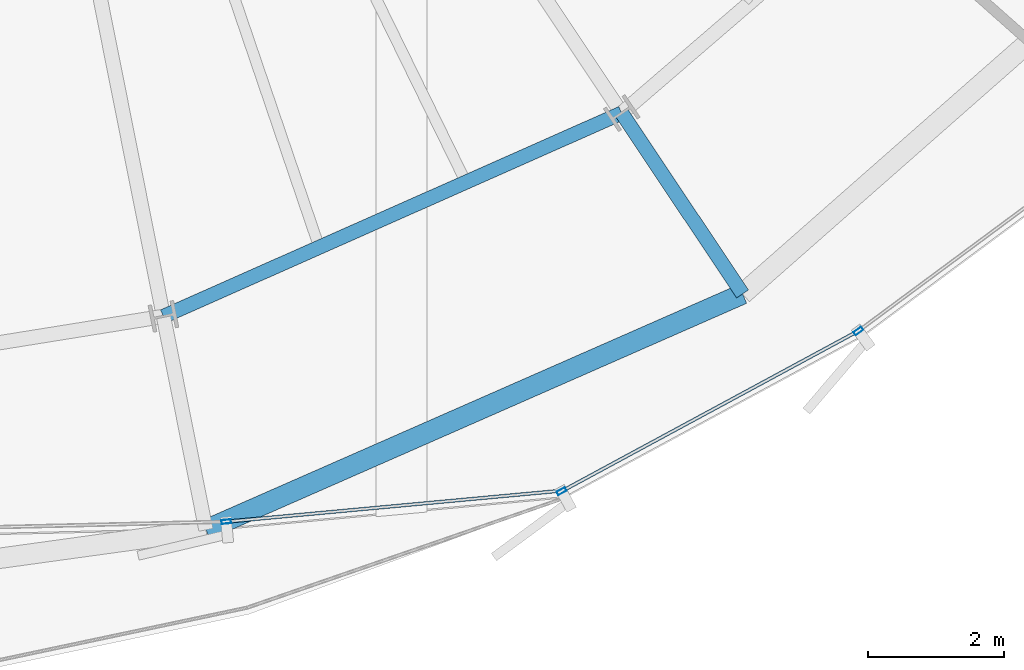
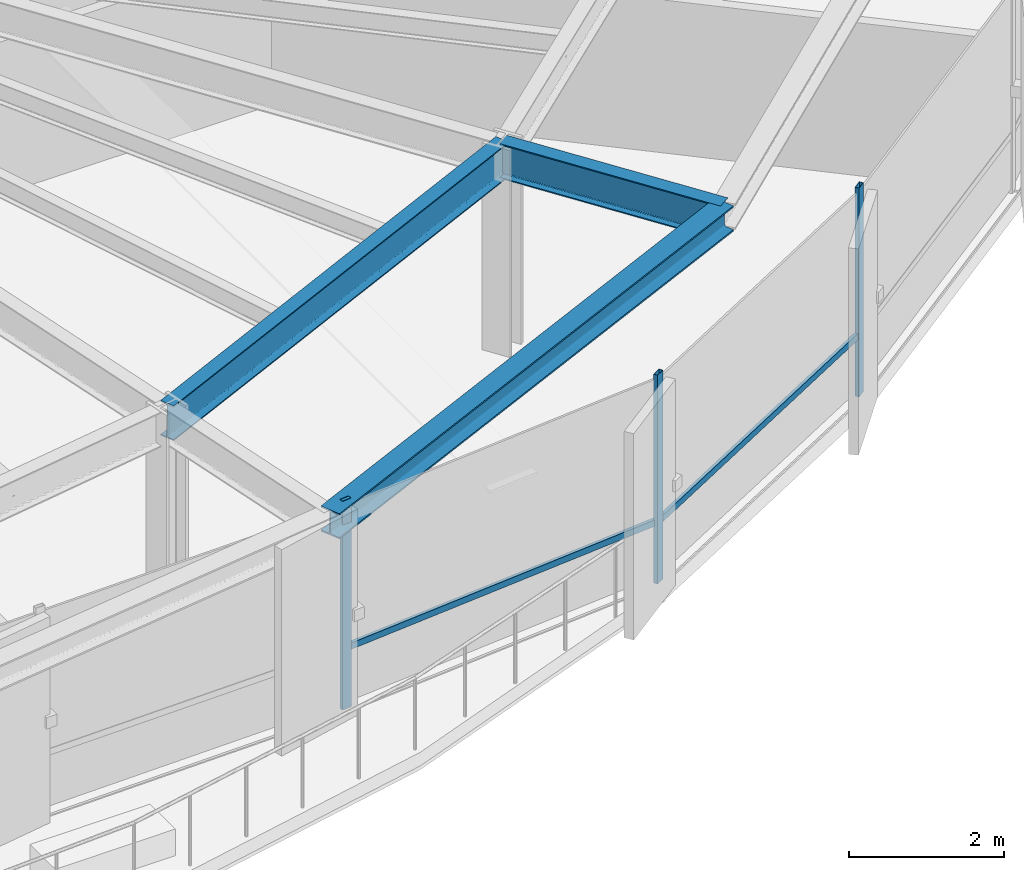
# One storey, part 12 of 37: 5 members, 3 beams, 1 element without a shape of its own.
"""IFC4 building model written with IfcOpenShell, lengths in metres."""

from ifc_helpers import new_model, si_unit, direction, frame, origin, origin_2d, place, context, subcontext, project, spatial, hollow_rectangle, i_section, extrude, source, transform, mapped, material, layer, layer_set, material_profile, profile_set, type_object, element, aggregate, save


model = new_model("IFC4")

# Units and contexts
model_context = context("Model", 3, precision=1e-05, world=origin(), true_north=direction((0.0, 1.0)))
body_context = subcontext(model_context, "Body", "Model", "MODEL_VIEW")
ifc_project = project(units=[si_unit("LENGTHUNIT", "METRE"), si_unit("AREAUNIT", "SQUARE_METRE"), si_unit("VOLUMEUNIT", "CUBIC_METRE"), si_unit("PLANEANGLEUNIT", "RADIAN"), si_unit("MASSUNIT", "GRAM", prefix="KILO"), si_unit("THERMODYNAMICTEMPERATUREUNIT", "KELVIN")], contexts=[model_context])

# Site, building, storey
site_placement = place(None, origin())
site = spatial("IfcSite", under=ifc_project, at=site_placement, CompositionType="ELEMENT")
building_placement = place(site_placement, origin())
building = spatial("IfcBuilding", under=site, at=building_placement, Name="Kethvar Cultural Tower", CompositionType="ELEMENT")
storey_placement = place(building_placement, frame((0.0, 0.0, 132.35009765625)))
storey = spatial("IfcBuildingStorey", under=building, at=storey_placement, Name="L33", CompositionType="ELEMENT", Elevation=132.35009765625)

# Beams
ifc_material_1 = material(Name="Steel S355J2", Category="steel")
ifc_material_profile_1 = material_profile(ifc_material_1, i_section(OverallWidth=0.2099609375, OverallDepth=0.550048828125, WebThickness=0.010986328125, FlangeThickness=0.01708984375, FilletRadius=0.02392578125, at=origin_2d()), Name="Steel S355J2 — IPE550")
ifc_profile_set_1 = profile_set([ifc_material_profile_1], Name="Steel S355J2 — IPE550")
beam_type_1 = type_object("IfcBeamType", Name="BM-IPE550", PredefinedType="BEAM", material=ifc_profile_set_1)
shared_shape_1 = source(origin(), body_context, "Body", "SweptSolid", [
    extrude(i_section(OverallWidth=0.2099609375, OverallDepth=0.550048828125, WebThickness=0.010986328125, FlangeThickness=0.01708984375, FilletRadius=0.02392578125, at=origin_2d()), origin(), (0.0, 0.0, 1.0), 3.199951171875),
])
beam_1_placement = place(storey_placement, frame((57.241943359375, 12.17236328125, 3.02294921875), z_axis=(0.555580212716, -0.831462943996, 0.0), x_axis=(0.831462943996, 0.555580212716, 0.0)))
element("IfcBeam", 1, at=beam_1_placement, inside=storey, type_object=beam_type_1, Name="L33 Perimeter Cantilever Beam RC-14", PredefinedType="BEAM", context=body_context, shape_type="MappedRepresentation", body=[
    mapped(shared_shape_1, transform((0.0, 0.0, 0.0), scale=1.0)),
])
shared_shape_2 = source(origin(), body_context, "Body", "SweptSolid", [
    extrude(i_section(OverallWidth=0.2099609375, OverallDepth=0.550048828125, WebThickness=0.010986328125, FlangeThickness=0.01708984375, FilletRadius=0.02392578125, at=origin_2d()), origin(), (0.0, 0.0, 1.0), 7.3720703125),
])
beam_2_placement = place(storey_placement, frame((50.50341796875, 9.182373046875, 3.02294921875), z_axis=(0.914058560918, 0.405582232367, 0.0), x_axis=(-0.405582232367, 0.914058560918, 0.0)))
element("IfcBeam", 2, at=beam_2_placement, inside=storey, type_object=beam_type_1, Name="L33 Column Ring Tie Beam CR-13", PredefinedType="BEAM", context=body_context, shape_type="MappedRepresentation", body=[
    mapped(shared_shape_2, transform((0.0, 0.0, 0.0), scale=1.0)),
])
ifc_material_profile_2 = material_profile(ifc_material_1, i_section(OverallWidth=0.300048828125, OverallDepth=0.39990234375, WebThickness=0.013427734375, FlangeThickness=0.02392578125, FilletRadius=0.027099609375, at=origin_2d()), Name="Steel S355J2 — HEB400")
ifc_profile_set_2 = profile_set([ifc_material_profile_2], Name="Steel S355J2 — HEB400")
beam_type_2 = type_object("IfcBeamType", Name="BM-SP400", PredefinedType="SPANDREL", material=ifc_profile_set_2)
shared_shape_3 = source(origin(), body_context, "Body", "SweptSolid", [
    extrude(i_section(OverallWidth=0.300048828125, OverallDepth=0.39990234375, WebThickness=0.013427734375, FlangeThickness=0.02392578125, FilletRadius=0.027099609375, at=origin_2d()), origin(), (0.0, 0.0, 1.0), 8.620361328125),
])
beam_3_placement = place(storey_placement, frame((51.127685546875, 6.043701171875, 3.097900390625), z_axis=(0.915507442902, 0.402301034041, 0.0), x_axis=(-0.402301034041, 0.915507442902, 0.0)))
element("IfcBeam", 3, at=beam_3_placement, inside=storey, type_object=beam_type_2, Name="L33 Perimeter Spandrel Beam SP-13", PredefinedType="SPANDREL", context=body_context, shape_type="MappedRepresentation", body=[
    mapped(shared_shape_3, transform((0.0, 0.0, 0.0), scale=1.0)),
])

# Curtain wall, members
ifc_material_2 = material(Name="Aluminium 6063-T6", Category="aluminium")
ifc_layer = layer(ifc_material_2, 0.179931640625, Name="Aluminium 6063-T6", Category="aluminium")
ifc_layer_set = layer_set([ifc_layer], Name="Aluminium 6063-T6 (180 mm)")
curtain_wall_type = type_object("IfcCurtainWallType", Name="CW-SYS-04-Z34", PredefinedType="NOTDEFINED", material=ifc_layer_set)
curtain_wall_placement = place(storey_placement, origin())
curtain_wall = element("IfcCurtainWall", 4, at=curtain_wall_placement, inside=storey, type_object=curtain_wall_type, Name="L33 Curtain Wall Run 05", PredefinedType="NOTDEFINED")
ifc_material_profile_3 = material_profile(ifc_material_2, hollow_rectangle(XDim=0.06005859375, YDim=0.139892578125, WallThickness=0.0048828125, at=origin_2d()), Name="Aluminium 6063-T6 — RHS140x60x5")
ifc_profile_set_3 = profile_set([ifc_material_profile_3], Name="Aluminium 6063-T6 — RHS140x60x5")
member_type_1 = type_object("IfcMemberType", Name="CW-SYS-04-Z34-MUL", PredefinedType="MULLION", material=ifc_profile_set_3)
shared_shape_4 = source(origin(), body_context, "Body", "SweptSolid", [
    extrude(hollow_rectangle(XDim=0.06005859375, YDim=0.139892578125, WallThickness=0.0048828125, at=origin_2d()), origin(), (0.0, 0.0, 1.0), 3.2998046875),
])
member_1_placement = place(storey_placement, frame((51.4267578125, 6.1630859375, 0.0), z_axis=(0.0, 0.0, 1.0), x_axis=(-0.092092525058, 0.995750454094, 0.0)))
member_1 = element("IfcMember", 5, at=member_1_placement, type_object=member_type_1, Name="CW-L33-R05 Mullion 3", PredefinedType="MULLION", context=body_context, shape_type="MappedRepresentation", body=[
    mapped(shared_shape_4, transform((0.0, 0.0, 0.0), scale=1.0)),
])
member_2_placement = place(storey_placement, frame((56.35888671875, 6.610595703125, 0.0), z_axis=(0.0, 0.0, 1.0), x_axis=(-0.475470674188, 0.879731571553, 0.0)))
member_2 = element("IfcMember", 6, at=member_2_placement, type_object=member_type_1, Name="CW-L33-R05 Mullion 4", PredefinedType="MULLION", context=body_context, shape_type="MappedRepresentation", body=[
    mapped(shared_shape_4, transform((0.0, 0.0, 0.0), scale=1.0)),
])
member_3_placement = place(storey_placement, frame((60.722412109375, 8.967529296875, 0.0), z_axis=(0.0, 0.0, 1.0), x_axis=(-0.595145427642, 0.803618018686, 0.0)))
member_3 = element("IfcMember", 7, at=member_3_placement, type_object=member_type_1, Name="CW-L33-R05 Mullion 5", PredefinedType="MULLION", context=body_context, shape_type="MappedRepresentation", body=[
    mapped(shared_shape_4, transform((0.0, 0.0, 0.0), scale=1.0)),
])
ifc_material_profile_4 = material_profile(ifc_material_2, hollow_rectangle(XDim=0.050048828125, YDim=0.10009765625, WallThickness=0.00390625, at=origin_2d()), Name="Aluminium 6063-T6 — RHS100x50x4")
ifc_profile_set_4 = profile_set([ifc_material_profile_4], Name="Aluminium 6063-T6 — RHS100x50x4")
member_type_2 = type_object("IfcMemberType", Name="CW-SYS-04-Z34-TRN", PredefinedType="USERDEFINED", material=ifc_profile_set_4)
shared_shape_5 = source(origin(), body_context, "Body", "SweptSolid", [
    extrude(hollow_rectangle(XDim=0.050048828125, YDim=0.10009765625, WallThickness=0.00390625, at=origin_2d()), origin(), (0.0, 0.0, 1.0), 4.888671875),
])
member_4_placement = place(storey_placement, frame((56.396728515625, 6.631103515625, 0.949951171875), z_axis=(0.879751679073, 0.475433468709, 0.0), x_axis=(-0.475433468709, 0.879751679073, 0.0)))
member_4 = element("IfcMember", 8, at=member_4_placement, type_object=member_type_2, Name="CW-L33-R05 Transom 4", ObjectType="TRANSOM", PredefinedType="USERDEFINED", context=body_context, shape_type="MappedRepresentation", body=[
    mapped(shared_shape_5, transform((0.0, 0.0, 0.0), scale=1.0)),
])
shared_shape_6 = source(origin(), body_context, "Body", "SweptSolid", [
    extrude(hollow_rectangle(XDim=0.050048828125, YDim=0.10009765625, WallThickness=0.00390625, at=origin_2d()), origin(), (0.0, 0.0, 1.0), 4.908935546875),
])
member_5_placement = place(storey_placement, frame((51.4697265625, 6.167236328125, 0.949951171875), z_axis=(0.995749293878, 0.092105069037, 0.0), x_axis=(-0.092105069037, 0.995749293878, 0.0)))
member_5 = element("IfcMember", 9, at=member_5_placement, type_object=member_type_2, Name="CW-L33-R05 Transom 3", ObjectType="TRANSOM", PredefinedType="USERDEFINED", context=body_context, shape_type="MappedRepresentation", body=[
    mapped(shared_shape_6, transform((0.0, 0.0, 0.0), scale=1.0)),
])
aggregate(curtain_wall, [member_1, member_2, member_3, member_5, member_4])

save(model, "model.ifc")
